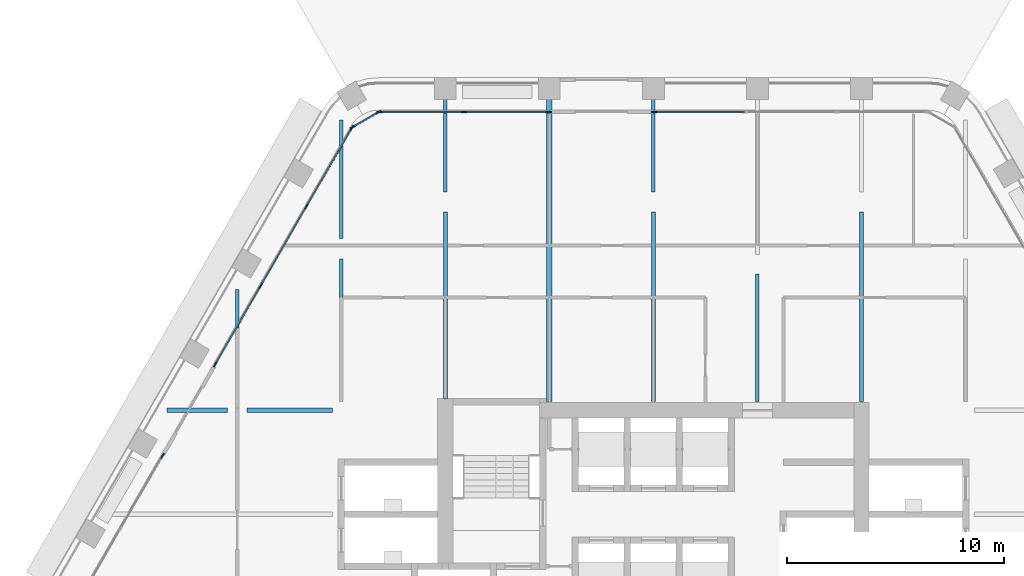
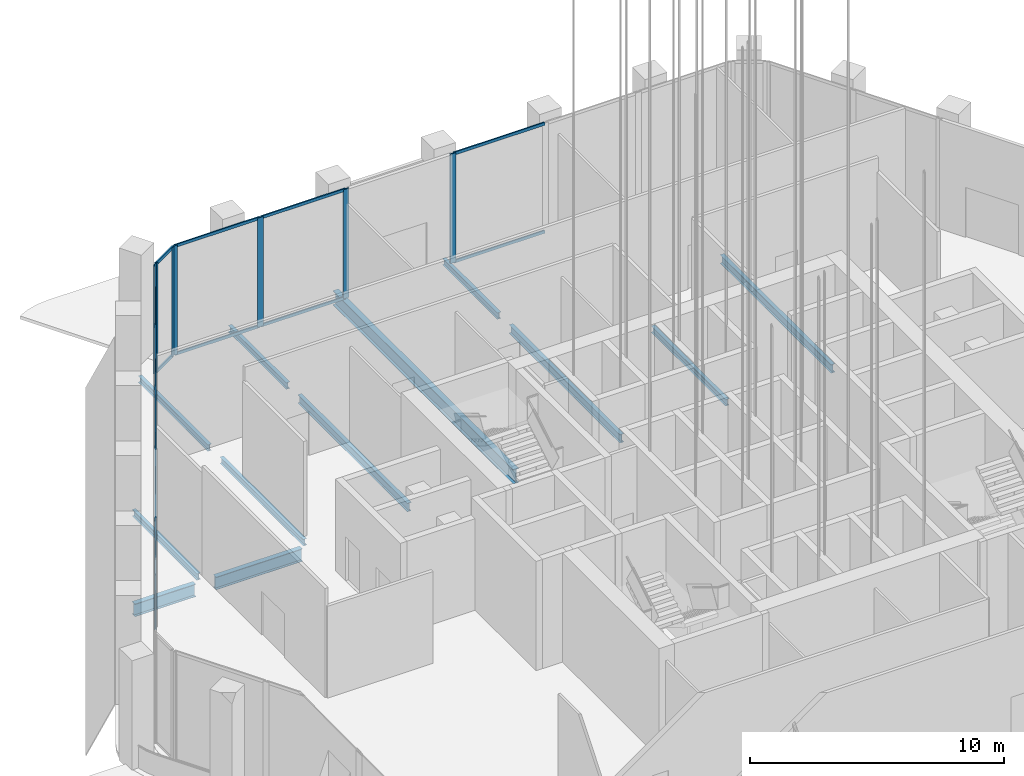
# One storey, part 4 of 42: 25 members, 12 beams, 5 elements without a shape of their own.
"""IFC4 building model written with IfcOpenShell, lengths in metres."""

from ifc_helpers import new_model, si_unit, direction, frame, origin, origin_2d, place, context, subcontext, project, spatial, rectangle, i_section, extrude, material, material_profile, profile_set, type_object, element, aggregate, save


model = new_model("IFC4")

# Units and contexts
model_context = context("Model", 3, precision=1e-05, world=origin(), true_north=direction((0.0, 1.0)))
body_context = subcontext(model_context, "Body", "Model", "MODEL_VIEW")
ifc_project = project(units=[si_unit("LENGTHUNIT", "METRE"), si_unit("AREAUNIT", "SQUARE_METRE"), si_unit("VOLUMEUNIT", "CUBIC_METRE"), si_unit("PLANEANGLEUNIT", "RADIAN"), si_unit("MASSUNIT", "GRAM", prefix="KILO")], contexts=[model_context])

# Site, building, storey
site_placement = place(None, origin())
site = spatial("IfcSite", under=ifc_project, at=site_placement, CompositionType="ELEMENT")
building_placement = place(site_placement, origin())
building = spatial("IfcBuilding", under=site, at=building_placement, Name="Kolab Exchange Tower", CompositionType="ELEMENT")
storey_placement = place(building_placement, frame((0.0, 0.0, 133.39990234375)))
storey = spatial("IfcBuildingStorey", under=building, at=storey_placement, Name="L26", CompositionType="ELEMENT", Elevation=133.39990234375)

# Beams
ifc_material_1 = material(Name="Steel S355", Category="steel")
ifc_material_profile_1 = material_profile(ifc_material_1, i_section(OverallWidth=0.1650390625, OverallDepth=0.31005859375, WebThickness=0.005859375, FlangeThickness=0.009765625, at=origin_2d()), Name="W310X39")
ifc_profile_set_1 = profile_set([ifc_material_profile_1], Name="Steel S355")
beam_type_1 = type_object("IfcBeamType", Name="FLOOR BEAM W310X39", PredefinedType="BEAM", material=ifc_profile_set_1)
beam_1_placement = place(storey_placement, frame((-19.199951171875, 10.06005859375, -0.304931640625), z_axis=(0.0, 1.0, 0.0), x_axis=(-1.0, 0.0, 0.0)))
element("IfcBeam", 1, at=beam_1_placement, inside=storey, type_object=beam_type_1, Name="beam/L26/fr/004", PredefinedType="BEAM", context=body_context, shape_type="SweptSolid", body=[
    extrude(i_section(OverallWidth=0.1650390625, OverallDepth=0.31005859375, WebThickness=0.005859375, FlangeThickness=0.009765625, at=origin_2d()), origin(), (0.0, 0.0, 1.0), 5.107666015625),
])
beam_2_placement = place(storey_placement, frame((-14.39990234375, 10.010009765625, -0.304931640625), z_axis=(0.0, 1.0, 0.0), x_axis=(-1.0, 0.0, 0.0)))
element("IfcBeam", 2, at=beam_2_placement, inside=storey, type_object=beam_type_1, Name="beam/L26/fr/008", PredefinedType="BEAM", context=body_context, shape_type="SweptSolid", body=[
    extrude(i_section(OverallWidth=0.1650390625, OverallDepth=0.31005859375, WebThickness=0.005859375, FlangeThickness=0.009765625, at=origin_2d()), origin(), (0.0, 0.0, 1.0), 6.563232421875),
])
beam_3_placement = place(storey_placement, frame((-14.39990234375, 17.51220703125, -0.304931640625), z_axis=(0.0, 1.0, 0.0), x_axis=(-1.0, 0.0, 0.0)))
element("IfcBeam", 3, at=beam_3_placement, inside=storey, type_object=beam_type_1, Name="beam/L26/fr/009", PredefinedType="BEAM", context=body_context, shape_type="SweptSolid", body=[
    extrude(i_section(OverallWidth=0.1650390625, OverallDepth=0.31005859375, WebThickness=0.005859375, FlangeThickness=0.009765625, at=origin_2d()), origin(), (0.0, 0.0, 1.0), 5.4892578125),
])
beam_4_placement = place(storey_placement, frame((-9.60009765625, 19.659912109375, -0.304931640625), z_axis=(0.0, 1.0, 0.0), x_axis=(-1.0, 0.0, 0.0)))
element("IfcBeam", 4, at=beam_4_placement, inside=storey, type_object=beam_type_1, Name="beam/L26/fr/013", PredefinedType="BEAM", context=body_context, shape_type="SweptSolid", body=[
    extrude(i_section(OverallWidth=0.1650390625, OverallDepth=0.31005859375, WebThickness=0.005859375, FlangeThickness=0.009765625, at=origin_2d()), origin(), (0.0, 0.0, 1.0), 4.57080078125),
])
beam_5_placement = place(storey_placement, frame((0.0, 19.659912109375, -0.304931640625), z_axis=(0.0, 1.0, 0.0), x_axis=(-1.0, 0.0, 0.0)))
element("IfcBeam", 5, at=beam_5_placement, inside=storey, type_object=beam_type_1, Name="beam/L26/fr/020", PredefinedType="BEAM", context=body_context, shape_type="SweptSolid", body=[
    extrude(i_section(OverallWidth=0.1650390625, OverallDepth=0.31005859375, WebThickness=0.005859375, FlangeThickness=0.009765625, at=origin_2d()), origin(), (0.0, 0.0, 1.0), 4.33056640625),
])
beam_6_placement = place(storey_placement, frame((4.800048828125, 10.010009765625, -0.304931640625), z_axis=(0.0, 1.0, 0.0), x_axis=(-1.0, 0.0, 0.0)))
element("IfcBeam", 6, at=beam_6_placement, inside=storey, type_object=beam_type_1, Name="beam/L26/fr/022", PredefinedType="BEAM", context=body_context, shape_type="SweptSolid", body=[
    extrude(i_section(OverallWidth=0.1650390625, OverallDepth=0.31005859375, WebThickness=0.005859375, FlangeThickness=0.009765625, at=origin_2d()), origin(), (0.0, 0.0, 1.0), 5.86669921875),
])
ifc_material_profile_2 = material_profile(ifc_material_1, i_section(OverallWidth=0.177978515625, OverallDepth=0.406982421875, WebThickness=0.0078125, FlangeThickness=0.0126953125, at=origin_2d()), Name="W410X60")
ifc_profile_set_2 = profile_set([ifc_material_profile_2], Name="Steel S355")
beam_type_2 = type_object("IfcBeamType", Name="FLOOR BEAM W410X60", PredefinedType="BEAM", material=ifc_profile_set_2)
beam_7_placement = place(storey_placement, frame((-9.60009765625, 10.110107421875, -0.353515625), z_axis=(0.0, 1.0, 0.0), x_axis=(-1.0, 0.0, 0.0)))
element("IfcBeam", 7, at=beam_7_placement, inside=storey, type_object=beam_type_2, Name="beam/L26/fr/012", PredefinedType="BEAM", context=body_context, shape_type="SweptSolid", body=[
    extrude(i_section(OverallWidth=0.177978515625, OverallDepth=0.406982421875, WebThickness=0.0078125, FlangeThickness=0.0126953125, at=origin_2d()), origin(), (0.0, 0.0, 1.0), 8.6298828125),
])
for number, where, z_axis, x_axis, name in (
    (8, (0.0, 10.010009765625, -0.353515625), (0.0, 1.0, 0.0), (-1.0, 0.0, 0.0), "beam/L26/fr/019"),
    (9, (9.60009765625, 10.010009765625, -0.353515625), (0.0, 1.0, 0.0), (-1.0, 0.0, 0.0), "beam/L26/fr/026"),
):
    element("IfcBeam", number, at=place(storey_placement, frame(where, z_axis=z_axis, x_axis=x_axis)), inside=storey, type_object=beam_type_2, Name=name, PredefinedType="BEAM", context=body_context, shape_type="SweptSolid", body=[
        extrude(i_section(OverallWidth=0.177978515625, OverallDepth=0.406982421875, WebThickness=0.0078125, FlangeThickness=0.0126953125, at=origin_2d()), origin(), (0.0, 0.0, 1.0), 8.72998046875),
    ])
ifc_material_profile_3 = material_profile(ifc_material_1, i_section(OverallWidth=0.25390625, OverallDepth=0.68408203125, WebThickness=0.012451171875, FlangeThickness=0.018798828125, at=origin_2d()), Name="W690X140")
ifc_profile_set_3 = profile_set([ifc_material_profile_3], Name="Steel S355")
beam_type_3 = type_object("IfcBeamType", Name="FLOOR BEAM W690X140", PredefinedType="BEAM", material=ifc_profile_set_3)
beam_8_placement = place(storey_placement, frame((-4.800048828125, 10.010009765625, -0.491943359375), z_axis=(0.0, 1.0, 0.0), x_axis=(-1.0, 0.0, 0.0)))
element("IfcBeam", 10, at=beam_8_placement, inside=storey, type_object=beam_type_3, Name="beam/L26/fr/016", PredefinedType="BEAM", context=body_context, shape_type="SweptSolid", body=[
    extrude(i_section(OverallWidth=0.25390625, OverallDepth=0.68408203125, WebThickness=0.012451171875, FlangeThickness=0.018798828125, at=origin_2d()), origin(), (0.0, 0.0, 1.0), 14.221435546875),
])
ifc_material_profile_4 = material_profile(ifc_material_1, i_section(OverallWidth=0.22802734375, OverallDepth=0.60791015625, WebThickness=0.01123046875, FlangeThickness=0.017333984375, at=origin_2d()), Name="W610X113")
ifc_profile_set_4 = profile_set([ifc_material_profile_4], Name="Steel S355")
beam_type_4 = type_object("IfcBeamType", Name="FLOOR GIRDER W610X113", PredefinedType="BEAM", material=ifc_profile_set_4)
beam_9_placement = place(storey_placement, frame((-22.431396484375, 9.60009765625, -0.453857421875), z_axis=(1.0, 0.0, 0.0), x_axis=(0.0, 1.0, 0.0)))
element("IfcBeam", 11, at=beam_9_placement, inside=storey, type_object=beam_type_4, Name="beam/L26/gd/001", PredefinedType="BEAM", context=body_context, shape_type="SweptSolid", body=[
    extrude(i_section(OverallWidth=0.22802734375, OverallDepth=0.60791015625, WebThickness=0.01123046875, FlangeThickness=0.017333984375, at=origin_2d()), origin(), (0.0, 0.0, 1.0), 2.771484375),
])
beam_10_placement = place(storey_placement, frame((-18.739990234375, 9.60009765625, -0.453857421875), z_axis=(1.0, 0.0, 0.0), x_axis=(0.0, 1.0, 0.0)))
element("IfcBeam", 12, at=beam_10_placement, inside=storey, type_object=beam_type_4, Name="beam/L26/gd/003", PredefinedType="BEAM", context=body_context, shape_type="SweptSolid", body=[
    extrude(i_section(OverallWidth=0.22802734375, OverallDepth=0.60791015625, WebThickness=0.01123046875, FlangeThickness=0.017333984375, at=origin_2d()), origin(), (0.0, 0.0, 1.0), 3.929931640625),
])

# Curtain wall, members
ifc_material_2 = material(Name="Aluminium EN AW-6063 T6", Category="aluminium")
curtain_wall_type = type_object("IfcCurtainWallType", Name="UNITISED UPPER MID ZONE DOUBLE HEIGHT CURTAIN WALL", PredefinedType="NOTDEFINED", material=ifc_material_2)
curtain_wall_1_placement = place(storey_placement, origin())
curtain_wall_1 = element("IfcCurtainWall", 13, at=curtain_wall_1_placement, inside=storey, type_object=curtain_wall_type, Name="cw/L26/F1-1", PredefinedType="NOTDEFINED")
ifc_material_profile_5 = material_profile(ifc_material_2, rectangle(XDim=0.06005859375, YDim=0.260009765625, at=origin_2d()), Name="RECT 60X260")
ifc_profile_set_5 = profile_set([ifc_material_profile_5], Name="Aluminium EN AW-6063 T6")
member_type_1 = type_object("IfcMemberType", Name="UNITISED UPPER MID ZONE DOUBLE HEIGHT MULLION 60 X 260", PredefinedType="MULLION", material=ifc_profile_set_5)
member_1_placement = place(storey_placement, frame((-12.637939453125, 23.361572265625, 0.0), z_axis=(0.0, 0.0, 1.0), x_axis=(0.0, 1.0, 0.0)))
member_1 = element("IfcMember", 14, at=member_1_placement, type_object=member_type_1, Name="CW8 mullion 1", PredefinedType="MULLION", context=body_context, shape_type="SweptSolid", body=[
    extrude(rectangle(XDim=0.06005859375, YDim=0.260009765625, at=origin_2d()), origin(), (0.0, 0.0, 1.0), 5.25),
])
member_2_placement = place(storey_placement, frame((-8.73388671875, 23.361572265625, 0.0), z_axis=(0.0, 0.0, 1.0), x_axis=(0.0, 1.0, 0.0)))
member_2 = element("IfcMember", 15, at=member_2_placement, type_object=member_type_1, Name="CW8 mullion 2", PredefinedType="MULLION", context=body_context, shape_type="SweptSolid", body=[
    extrude(rectangle(XDim=0.06005859375, YDim=0.260009765625, at=origin_2d()), origin(), (0.0, 0.0, 1.0), 5.25),
])
member_3_placement = place(storey_placement, frame((-4.830078125, 23.361572265625, 0.0), z_axis=(0.0, 0.0, 1.0), x_axis=(0.0, 1.0, 0.0)))
member_3 = element("IfcMember", 16, at=member_3_placement, type_object=member_type_1, Name="CW8 mullion 3", PredefinedType="MULLION", context=body_context, shape_type="SweptSolid", body=[
    extrude(rectangle(XDim=0.06005859375, YDim=0.260009765625, at=origin_2d()), origin(), (0.0, 0.0, 1.0), 5.25),
])

# Curtain wall, member
curtain_wall_2_placement = place(storey_placement, origin())
curtain_wall_2 = element("IfcCurtainWall", 17, at=curtain_wall_2_placement, inside=storey, type_object=curtain_wall_type, Name="cw/L26/F1-2", PredefinedType="NOTDEFINED")
member_4_placement = place(storey_placement, frame((0.030029296875, 23.361572265625, 0.0), z_axis=(0.0, 0.0, 1.0), x_axis=(0.0, 1.0, 0.0)))
member_4 = element("IfcMember", 18, at=member_4_placement, type_object=member_type_1, Name="CW8 mullion 1", PredefinedType="MULLION", context=body_context, shape_type="SweptSolid", body=[
    extrude(rectangle(XDim=0.06005859375, YDim=0.260009765625, at=origin_2d()), origin(), (0.0, 0.0, 1.0), 5.25),
])

curtain_wall_3_placement = place(storey_placement, origin())
curtain_wall_3 = element("IfcCurtainWall", 19, at=curtain_wall_3_placement, inside=storey, type_object=curtain_wall_type, Name="cw/L26/F6-1", PredefinedType="NOTDEFINED")
member_5_placement = place(storey_placement, frame((-22.646728515625, 7.497802734375, 0.0), z_axis=(0.0, 0.0, 1.0), x_axis=(-0.866025440524, 0.499999936366, 0.0)))
member_5 = element("IfcMember", 20, at=member_5_placement, type_object=member_type_1, Name="CW8 mullion 3", PredefinedType="MULLION", context=body_context, shape_type="SweptSolid", body=[
    extrude(rectangle(XDim=0.06005859375, YDim=0.260009765625, at=origin_2d()), origin(), (0.0, 0.0, 1.0), 5.25),
])
aggregate(curtain_wall_3, [member_5])

# Curtain wall, members
curtain_wall_4_placement = place(storey_placement, origin())
curtain_wall_4 = element("IfcCurtainWall", 21, at=curtain_wall_4_placement, inside=storey, type_object=curtain_wall_type, Name="cw/L26/F6-2", PredefinedType="NOTDEFINED")
member_6_placement = place(storey_placement, frame((-20.216796875, 11.706787109375, 0.0), z_axis=(0.0, 0.0, 1.0), x_axis=(-0.866025393644, 0.500000017564, 0.0)))
member_6 = element("IfcMember", 22, at=member_6_placement, type_object=member_type_1, Name="CW8 mullion 1", PredefinedType="MULLION", context=body_context, shape_type="SweptSolid", body=[
    extrude(rectangle(XDim=0.06005859375, YDim=0.260009765625, at=origin_2d()), origin(), (0.0, 0.0, 1.0), 5.25),
])
member_7_placement = place(storey_placement, frame((-18.120361328125, 15.337646484375, 0.0), z_axis=(0.0, 0.0, 1.0), x_axis=(-0.866025393644, 0.500000017564, 0.0)))
member_7 = element("IfcMember", 23, at=member_7_placement, type_object=member_type_1, Name="CW8 mullion 2", PredefinedType="MULLION", context=body_context, shape_type="SweptSolid", body=[
    extrude(rectangle(XDim=0.06005859375, YDim=0.260009765625, at=origin_2d()), origin(), (0.0, 0.0, 1.0), 5.25),
])
member_8_placement = place(storey_placement, frame((-16.009033203125, 18.99462890625, 0.0), z_axis=(0.0, 0.0, 1.0), x_axis=(-0.866025393644, 0.500000017564, 0.0)))
member_8 = element("IfcMember", 24, at=member_8_placement, type_object=member_type_1, Name="CW8 mullion 3", PredefinedType="MULLION", context=body_context, shape_type="SweptSolid", body=[
    extrude(rectangle(XDim=0.06005859375, YDim=0.260009765625, at=origin_2d()), origin(), (0.0, 0.0, 1.0), 5.25),
])
member_9_placement = place(storey_placement, frame((-13.91259765625, 22.62548828125, 0.0), z_axis=(0.0, 0.0, 1.0), x_axis=(-0.866025393644, 0.500000017564, 0.0)))
member_9 = element("IfcMember", 25, at=member_9_placement, type_object=member_type_1, Name="CW8 mullion 4", PredefinedType="MULLION", context=body_context, shape_type="SweptSolid", body=[
    extrude(rectangle(XDim=0.06005859375, YDim=0.260009765625, at=origin_2d()), origin(), (0.0, 0.0, 1.0), 5.25),
])

curtain_wall_5_placement = place(storey_placement, origin())
curtain_wall_5 = element("IfcCurtainWall", 26, at=curtain_wall_5_placement, inside=storey, type_object=curtain_wall_type, Name="cw/L26/F6F1-corner", PredefinedType="NOTDEFINED")
member_10_placement = place(storey_placement, frame((-13.871826171875, 22.66650390625, 0.0), z_axis=(0.0, 0.0, 1.0), x_axis=(-0.50000002237, 0.866025390869, 0.0)))
member_10 = element("IfcMember", 27, at=member_10_placement, type_object=member_type_1, Name="CW8 mullion 1", PredefinedType="MULLION", context=body_context, shape_type="SweptSolid", body=[
    extrude(rectangle(XDim=0.06005859375, YDim=0.260009765625, at=origin_2d()), origin(), (0.0, 0.0, 1.0), 5.25),
])
member_11_placement = place(storey_placement, frame((-12.69384765625, 23.346435546875, 0.0), z_axis=(0.0, 0.0, 1.0), x_axis=(-0.50000002237, 0.866025390869, 0.0)))
member_11 = element("IfcMember", 28, at=member_11_placement, type_object=member_type_1, Name="CW8 mullion 2", PredefinedType="MULLION", context=body_context, shape_type="SweptSolid", body=[
    extrude(rectangle(XDim=0.06005859375, YDim=0.260009765625, at=origin_2d()), origin(), (0.0, 0.0, 1.0), 5.25),
])

# Member
ifc_material_profile_6 = material_profile(ifc_material_2, rectangle(XDim=0.06005859375, YDim=0.139892578125, at=origin_2d()), Name="RECT 60X140")
ifc_profile_set_6 = profile_set([ifc_material_profile_6], Name="Aluminium EN AW-6063 T6")
member_type_2 = type_object("IfcMemberType", Name="UNITISED UPPER MID ZONE DOUBLE HEIGHT TRANSOM 60 X 140", PredefinedType="USERDEFINED", material=ifc_profile_set_6)
member_12_placement = place(storey_placement, frame((-12.60791015625, 23.361572265625, 0.030029296875), z_axis=(1.0, 0.0, 0.0), x_axis=(0.0, 1.0, 0.0)))
member_12 = element("IfcMember", 29, at=member_12_placement, type_object=member_type_2, Name="CW8 transom 1.1", ObjectType="TRANSOM", PredefinedType="USERDEFINED", context=body_context, shape_type="SweptSolid", body=[
    extrude(rectangle(XDim=0.06005859375, YDim=0.139892578125, at=origin_2d()), origin(), (0.0, 0.0, 1.0), 3.843994140625),
])

member_13_placement = place(storey_placement, frame((-12.60791015625, 23.361572265625, 5.22021484375), z_axis=(1.0, 0.0, 0.0), x_axis=(0.0, 1.0, 0.0)))
member_13 = element("IfcMember", 30, at=member_13_placement, type_object=member_type_2, Name="CW8 transom 1.2", ObjectType="TRANSOM", PredefinedType="USERDEFINED", context=body_context, shape_type="SweptSolid", body=[
    extrude(rectangle(XDim=0.06005859375, YDim=0.139892578125, at=origin_2d()), origin(), (0.0, 0.0, 1.0), 3.843994140625),
])

member_14_placement = place(storey_placement, frame((-8.703857421875, 23.361572265625, 0.030029296875), z_axis=(1.0, 0.0, 0.0), x_axis=(0.0, 1.0, 0.0)))
member_14 = element("IfcMember", 31, at=member_14_placement, type_object=member_type_2, Name="CW8 transom 2.1", ObjectType="TRANSOM", PredefinedType="USERDEFINED", context=body_context, shape_type="SweptSolid", body=[
    extrude(rectangle(XDim=0.06005859375, YDim=0.139892578125, at=origin_2d()), origin(), (0.0, 0.0, 1.0), 3.84375),
])

member_15_placement = place(storey_placement, frame((-8.703857421875, 23.361572265625, 5.22021484375), z_axis=(1.0, 0.0, 0.0), x_axis=(0.0, 1.0, 0.0)))
member_15 = element("IfcMember", 32, at=member_15_placement, type_object=member_type_2, Name="CW8 transom 2.2", ObjectType="TRANSOM", PredefinedType="USERDEFINED", context=body_context, shape_type="SweptSolid", body=[
    extrude(rectangle(XDim=0.06005859375, YDim=0.139892578125, at=origin_2d()), origin(), (0.0, 0.0, 1.0), 3.84375),
])

aggregate(curtain_wall_1, [member_1, member_2, member_3, member_12, member_13, member_14, member_15])

member_16_placement = place(storey_placement, frame((0.06005859375, 23.361572265625, 0.030029296875), z_axis=(1.0, 0.0, 0.0), x_axis=(0.0, 1.0, 0.0)))
member_16 = element("IfcMember", 33, at=member_16_placement, type_object=member_type_2, Name="CW8 transom 1.1", ObjectType="TRANSOM", PredefinedType="USERDEFINED", context=body_context, shape_type="SweptSolid", body=[
    extrude(rectangle(XDim=0.06005859375, YDim=0.139892578125, at=origin_2d()), origin(), (0.0, 0.0, 1.0), 4.132568359375),
])

member_17_placement = place(storey_placement, frame((0.06005859375, 23.361572265625, 5.22021484375), z_axis=(1.0, 0.0, 0.0), x_axis=(0.0, 1.0, 0.0)))
member_17 = element("IfcMember", 34, at=member_17_placement, type_object=member_type_2, Name="CW8 transom 1.2", ObjectType="TRANSOM", PredefinedType="USERDEFINED", context=body_context, shape_type="SweptSolid", body=[
    extrude(rectangle(XDim=0.06005859375, YDim=0.139892578125, at=origin_2d()), origin(), (0.0, 0.0, 1.0), 4.132568359375),
])

aggregate(curtain_wall_2, [member_4, member_16, member_17])

member_18_placement = place(storey_placement, frame((-20.20166015625, 11.732666015625, 0.030029296875), z_axis=(0.500001996123, 0.866024251319, 0.0), x_axis=(-0.866024251319, 0.500001996123, 0.0)))
member_18 = element("IfcMember", 35, at=member_18_placement, type_object=member_type_2, Name="CW8 transom 1.1", ObjectType="TRANSOM", PredefinedType="USERDEFINED", context=body_context, shape_type="SweptSolid", body=[
    extrude(rectangle(XDim=0.06005859375, YDim=0.139892578125, at=origin_2d()), origin(), (0.0, 0.0, 1.0), 4.1328125),
])

member_19_placement = place(storey_placement, frame((-20.20166015625, 11.732666015625, 5.22021484375), z_axis=(0.500001996123, 0.866024251319, 0.0), x_axis=(-0.866024251319, 0.500001996123, 0.0)))
member_19 = element("IfcMember", 36, at=member_19_placement, type_object=member_type_2, Name="CW8 transom 1.2", ObjectType="TRANSOM", PredefinedType="USERDEFINED", context=body_context, shape_type="SweptSolid", body=[
    extrude(rectangle(XDim=0.06005859375, YDim=0.139892578125, at=origin_2d()), origin(), (0.0, 0.0, 1.0), 4.1328125),
])

member_20_placement = place(storey_placement, frame((-18.10546875, 15.36376953125, 0.030029296875), z_axis=(0.500037208726, 0.86600392025, 0.0), x_axis=(-0.86600392025, 0.500037208726, 0.0)))
member_20 = element("IfcMember", 37, at=member_20_placement, type_object=member_type_2, Name="CW8 transom 2.1", ObjectType="TRANSOM", PredefinedType="USERDEFINED", context=body_context, shape_type="SweptSolid", body=[
    extrude(rectangle(XDim=0.06005859375, YDim=0.139892578125, at=origin_2d()), origin(), (0.0, 0.0, 1.0), 4.162841796875),
])

member_21_placement = place(storey_placement, frame((-18.10546875, 15.36376953125, 5.22021484375), z_axis=(0.500037208726, 0.86600392025, 0.0), x_axis=(-0.86600392025, 0.500037208726, 0.0)))
member_21 = element("IfcMember", 38, at=member_21_placement, type_object=member_type_2, Name="CW8 transom 2.2", ObjectType="TRANSOM", PredefinedType="USERDEFINED", context=body_context, shape_type="SweptSolid", body=[
    extrude(rectangle(XDim=0.06005859375, YDim=0.139892578125, at=origin_2d()), origin(), (0.0, 0.0, 1.0), 4.162841796875),
])

member_22_placement = place(storey_placement, frame((-15.994140625, 19.0205078125, 0.030029296875), z_axis=(0.500001996123, 0.866024251319, 0.0), x_axis=(-0.866024251319, 0.500001996123, 0.0)))
member_22 = element("IfcMember", 39, at=member_22_placement, type_object=member_type_2, Name="CW8 transom 3.1", ObjectType="TRANSOM", PredefinedType="USERDEFINED", context=body_context, shape_type="SweptSolid", body=[
    extrude(rectangle(XDim=0.06005859375, YDim=0.139892578125, at=origin_2d()), origin(), (0.0, 0.0, 1.0), 4.1328125),
])

member_23_placement = place(storey_placement, frame((-15.994140625, 19.0205078125, 5.22021484375), z_axis=(0.500001996123, 0.866024251319, 0.0), x_axis=(-0.866024251319, 0.500001996123, 0.0)))
member_23 = element("IfcMember", 40, at=member_23_placement, type_object=member_type_2, Name="CW8 transom 3.2", ObjectType="TRANSOM", PredefinedType="USERDEFINED", context=body_context, shape_type="SweptSolid", body=[
    extrude(rectangle(XDim=0.06005859375, YDim=0.139892578125, at=origin_2d()), origin(), (0.0, 0.0, 1.0), 4.1328125),
])

aggregate(curtain_wall_4, [member_6, member_7, member_8, member_9, member_18, member_19, member_20, member_21, member_22, member_23])

member_24_placement = place(storey_placement, frame((-13.845703125, 22.681640625, 0.030029296875), z_axis=(0.86603858612, 0.49997716683, 0.0), x_axis=(-0.49997716683, 0.86603858612, 0.0)))
member_24 = element("IfcMember", 41, at=member_24_placement, type_object=member_type_2, Name="CW8 transom 1.1", ObjectType="TRANSOM", PredefinedType="USERDEFINED", context=body_context, shape_type="SweptSolid", body=[
    extrude(rectangle(XDim=0.06005859375, YDim=0.139892578125, at=origin_2d()), origin(), (0.0, 0.0, 1.0), 1.2998046875),
])

member_25_placement = place(storey_placement, frame((-13.845703125, 22.681640625, 5.22021484375), z_axis=(0.86603858612, 0.49997716683, 0.0), x_axis=(-0.49997716683, 0.86603858612, 0.0)))
member_25 = element("IfcMember", 42, at=member_25_placement, type_object=member_type_2, Name="CW8 transom 1.2", ObjectType="TRANSOM", PredefinedType="USERDEFINED", context=body_context, shape_type="SweptSolid", body=[
    extrude(rectangle(XDim=0.06005859375, YDim=0.139892578125, at=origin_2d()), origin(), (0.0, 0.0, 1.0), 1.2998046875),
])

aggregate(curtain_wall_5, [member_10, member_11, member_24, member_25])

save(model, "model.ifc")
